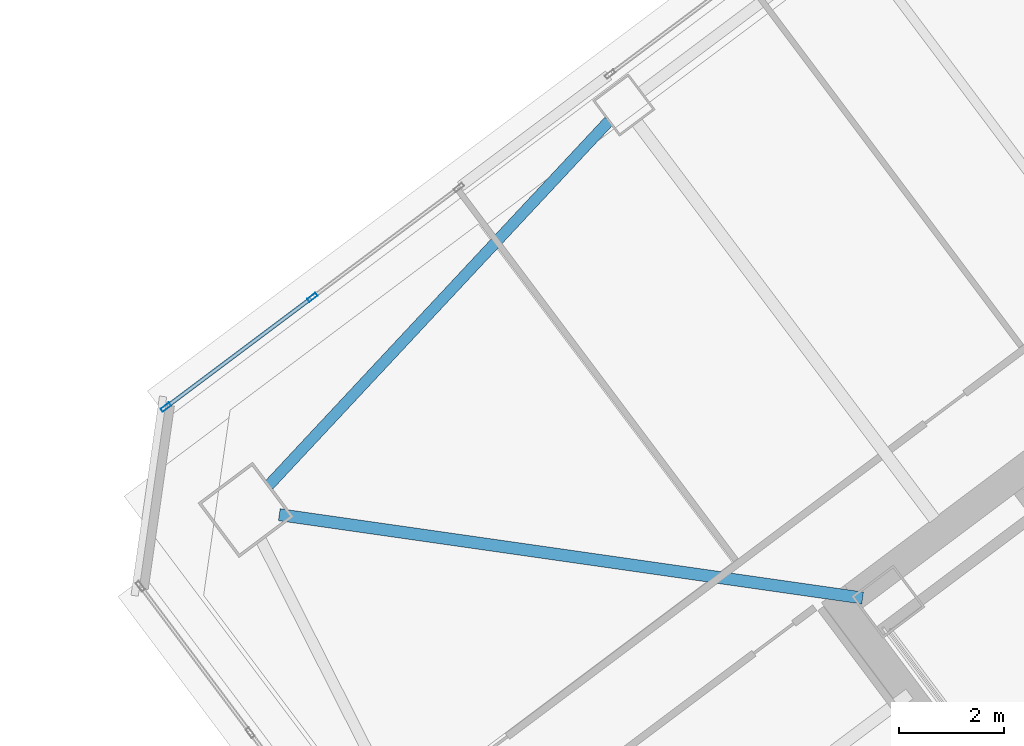
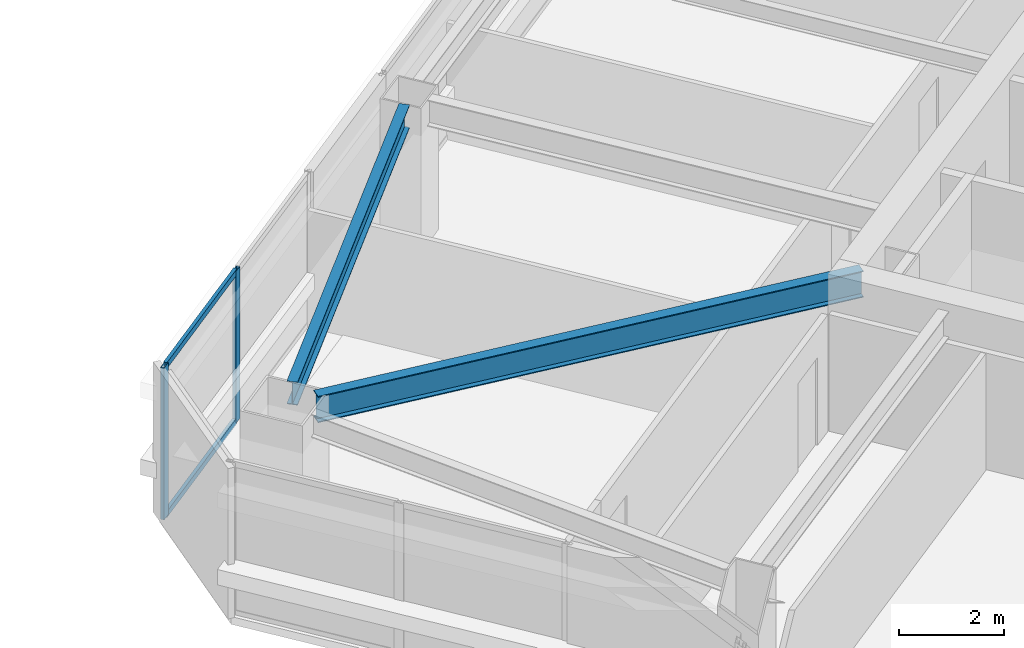
# One storey, part 21 of 46: 4 members, 2 beams, 1 element without a shape of its own.
"""IFC4 building model written with IfcOpenShell, lengths in metres."""

from ifc_helpers import new_model, si_unit, direction, frame, origin, origin_2d, place, context, subcontext, project, spatial, hollow_rectangle, i_section, extrude, material, material_profile, profile_set, type_object, element, aggregate, save


model = new_model("IFC4")

# Units and contexts
model_context = context("Model", 3, precision=1e-05, world=origin(), true_north=direction((0.0, 1.0)))
body_context = subcontext(model_context, "Body", "Model", "MODEL_VIEW")
ifc_project = project(units=[si_unit("LENGTHUNIT", "METRE"), si_unit("AREAUNIT", "SQUARE_METRE"), si_unit("VOLUMEUNIT", "CUBIC_METRE"), si_unit("PLANEANGLEUNIT", "RADIAN"), si_unit("MASSUNIT", "GRAM", prefix="KILO")], contexts=[model_context])

# Site, building, storey
site_placement = place(None, origin())
site = spatial("IfcSite", under=ifc_project, at=site_placement, CompositionType="ELEMENT")
building_placement = place(site_placement, origin())
building = spatial("IfcBuilding", under=site, at=building_placement, Name="Tashvorn Skyway Center", CompositionType="ELEMENT")
storey_placement = place(building_placement, frame((0.0, 0.0, 132.14990234375)))
storey = spatial("IfcBuildingStorey", under=building, at=storey_placement, Name="L35", CompositionType="ELEMENT", Elevation=132.14990234375)

# Beams
ifc_material_1 = material(Name="Steel ASTM A992 Grade 50", Category="steel")
ifc_material_profile_1 = material_profile(ifc_material_1, i_section(OverallWidth=0.22998046875, OverallDepth=0.616943359375, WebThickness=0.01318359375, FlangeThickness=0.022216796875, at=origin_2d()), Name="W24X94")
ifc_profile_set_1 = profile_set([ifc_material_profile_1], Name="Steel ASTM A992 Grade 50")
beam_type_1 = type_object("IfcBeamType", Name="BM-BEAM-W24X94", PredefinedType="BEAM", material=ifc_profile_set_1)
beam_1_placement = place(storey_placement, frame((92.5185546875, 35.06884765625, 3.0615234375), z_axis=(0.989948189712, -0.141430483583, 0.0), x_axis=(0.141430483583, 0.989948189712, 0.0)))
element("IfcBeam", 1, at=beam_1_placement, inside=storey, type_object=beam_type_1, Name="Tower 2 L35 Primary Floor Girder MC-NW", PredefinedType="BEAM", context=body_context, shape_type="SweptSolid", body=[
    extrude(i_section(OverallWidth=0.22998046875, OverallDepth=0.616943359375, WebThickness=0.01318359375, FlangeThickness=0.022216796875, at=origin_2d()), origin(), (0.0, 0.0, 1.0), 11.234375),
])
ifc_material_profile_2 = material_profile(ifc_material_1, i_section(OverallWidth=0.2109375, OverallDepth=0.5390625, WebThickness=0.01171875, FlangeThickness=0.018798828125, at=origin_2d()), Name="W21X73")
ifc_profile_set_2 = profile_set([ifc_material_profile_2], Name="Steel ASTM A992 Grade 50")
beam_type_2 = type_object("IfcBeamType", Name="BM-SPANDREL-W21X73", PredefinedType="SPANDREL", material=ifc_profile_set_2)
beam_2_placement = place(storey_placement, frame((98.80322265625, 42.572998046875, 3.1005859375), z_axis=(-0.682545341102, -0.730843250868, 0.0), x_axis=(0.730843250868, -0.682545341102, 0.0)))
element("IfcBeam", 2, at=beam_2_placement, inside=storey, type_object=beam_type_2, Name="Tower 2 L35 Spandrel Beam 09", PredefinedType="SPANDREL", context=body_context, shape_type="SweptSolid", body=[
    extrude(i_section(OverallWidth=0.2109375, OverallDepth=0.5390625, WebThickness=0.01171875, FlangeThickness=0.018798828125, at=origin_2d()), origin(), (0.0, 0.0, 1.0), 9.498046875),
])

# Curtain wall, members
ifc_material_2 = material(Name="Thermally broken bronze-anodized aluminium 6063-T6", Category="aluminium")
curtain_wall_type = type_object("IfcCurtainWallType", Name="CW-CW-Z3", PredefinedType="NOTDEFINED", material=ifc_material_2)
curtain_wall_placement = place(storey_placement, origin())
curtain_wall = element("IfcCurtainWall", 3, at=curtain_wall_placement, inside=storey, type_object=curtain_wall_type, Name="Tower 2 L35 North Unitised Curtain Wall Glazing Group 1", PredefinedType="NOTDEFINED")
ifc_material_profile_3 = material_profile(ifc_material_2, hollow_rectangle(XDim=0.074951171875, YDim=0.199951171875, WallThickness=0.00439453125, at=origin_2d()), Name="ALU-MULL-75x200")
ifc_profile_set_3 = profile_set([ifc_material_profile_3], Name="Thermally broken bronze-anodized aluminium 6063-T6")
member_type_1 = type_object("IfcMemberType", Name="CWM-CW-Z3", PredefinedType="MULLION", material=ifc_profile_set_3)
member_1_placement = place(storey_placement, frame((90.35791015625, 37.118408203125, 0.0), z_axis=(0.0, 0.0, 1.0), x_axis=(-0.600004533995, 0.799996599484, 0.0)))
member_1 = element("IfcMember", 4, at=member_1_placement, type_object=member_type_1, Name="CW-Z3 mullion 1", PredefinedType="MULLION", context=body_context, shape_type="SweptSolid", body=[
    extrude(hollow_rectangle(XDim=0.074951171875, YDim=0.199951171875, WallThickness=0.00439453125, at=origin_2d()), origin(), (0.0, 0.0, 1.0), 3.550048828125),
])
member_2_placement = place(storey_placement, frame((93.151123046875, 39.21337890625, 0.0), z_axis=(0.0, 0.0, 1.0), x_axis=(-0.600004533995, 0.799996599484, 0.0)))
member_2 = element("IfcMember", 5, at=member_2_placement, type_object=member_type_1, Name="CW-Z3 mullion 2", PredefinedType="MULLION", context=body_context, shape_type="SweptSolid", body=[
    extrude(hollow_rectangle(XDim=0.074951171875, YDim=0.199951171875, WallThickness=0.00439453125, at=origin_2d()), origin(), (0.0, 0.0, 1.0), 3.550048828125),
])
ifc_material_profile_4 = material_profile(ifc_material_2, hollow_rectangle(XDim=0.074951171875, YDim=0.139892578125, WallThickness=0.004150390625, at=origin_2d()), Name="ALU-TRAN-75x140")
ifc_profile_set_4 = profile_set([ifc_material_profile_4], Name="Thermally broken bronze-anodized aluminium 6063-T6")
member_type_2 = type_object("IfcMemberType", Name="CWT-CW-Z3", PredefinedType="USERDEFINED", material=ifc_profile_set_4)
member_3_placement = place(storey_placement, frame((90.387939453125, 37.14111328125, 0.03759765625), z_axis=(0.800008575267, 0.59998856614, 0.0), x_axis=(-0.59998856614, 0.800008575267, 0.0)))
member_3 = element("IfcMember", 6, at=member_3_placement, type_object=member_type_2, Name="CW-Z3 transom 1.1", ObjectType="TRANSOM", PredefinedType="USERDEFINED", context=body_context, shape_type="SweptSolid", body=[
    extrude(hollow_rectangle(XDim=0.074951171875, YDim=0.139892578125, WallThickness=0.004150390625, at=origin_2d()), origin(), (0.0, 0.0, 1.0), 3.41650390625),
])
member_4_placement = place(storey_placement, frame((90.387939453125, 37.14111328125, 3.5126953125), z_axis=(0.800008575267, 0.59998856614, 0.0), x_axis=(-0.59998856614, 0.800008575267, 0.0)))
member_4 = element("IfcMember", 7, at=member_4_placement, type_object=member_type_2, Name="CW-Z3 transom 1.2", ObjectType="TRANSOM", PredefinedType="USERDEFINED", context=body_context, shape_type="SweptSolid", body=[
    extrude(hollow_rectangle(XDim=0.074951171875, YDim=0.139892578125, WallThickness=0.004150390625, at=origin_2d()), origin(), (0.0, 0.0, 1.0), 3.41650390625),
])
aggregate(curtain_wall, [member_1, member_2, member_3, member_4])

save(model, "model.ifc")
